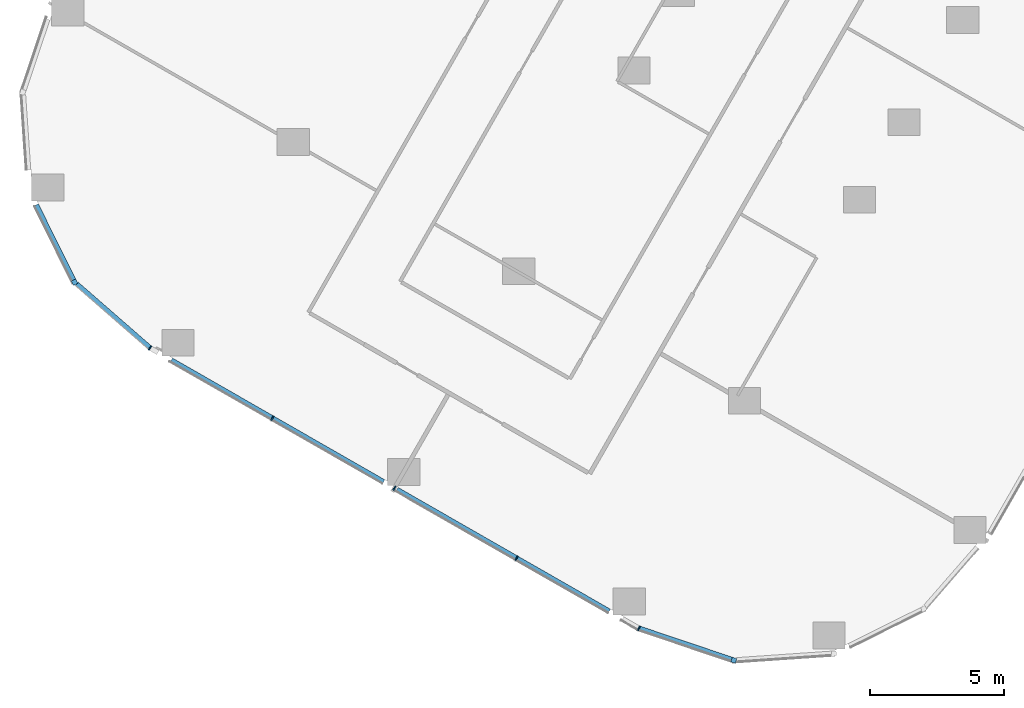
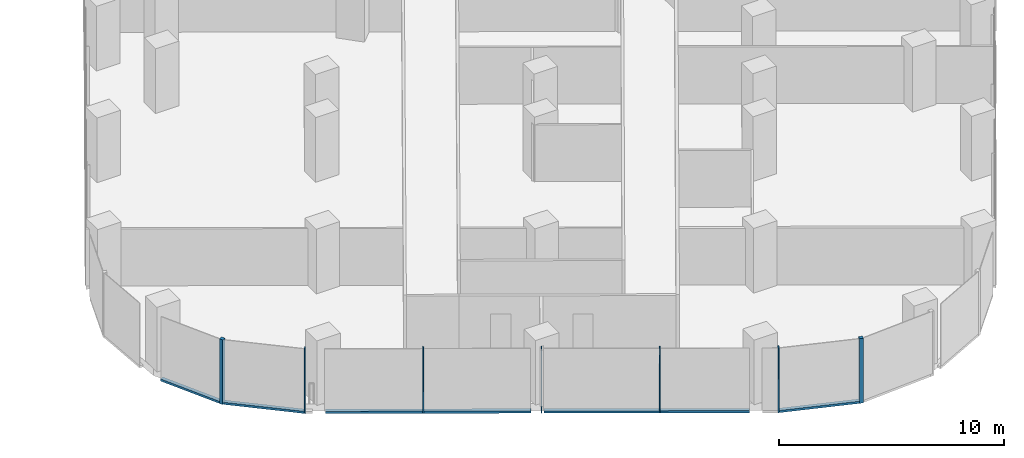
# One storey, part 2 of 34: 12 members, 4 elements without a shape of their own.
"""IFC4 building model written with IfcOpenShell, lengths in metres."""

from ifc_helpers import new_model, si_unit, direction, frame, origin, origin_2d, place, context, subcontext, project, spatial, rectangle, extrude, material, material_profile, profile_set, type_object, element, aggregate, save


model = new_model("IFC4")

# Units and contexts
model_context = context("Model", 3, precision=1e-05, world=origin(), true_north=direction((0.0, 1.0)))
body_context = subcontext(model_context, "Body", "Model", "MODEL_VIEW")
ifc_project = project(units=[si_unit("LENGTHUNIT", "METRE"), si_unit("AREAUNIT", "SQUARE_METRE"), si_unit("VOLUMEUNIT", "CUBIC_METRE"), si_unit("PLANEANGLEUNIT", "RADIAN"), si_unit("MASSUNIT", "GRAM", prefix="KILO")], contexts=[model_context])

# Site, building, storey
site_placement = place(None, origin())
site = spatial("IfcSite", under=ifc_project, at=site_placement, CompositionType="ELEMENT")
building_placement = place(site_placement, origin())
building = spatial("IfcBuilding", under=site, at=building_placement, Name="Orlundy Tower", CompositionType="ELEMENT")
storey_placement = place(building_placement, frame((0.0, 0.0, 105.699951171875)))
storey = spatial("IfcBuildingStorey", under=building, at=storey_placement, Name="L26", CompositionType="ELEMENT", Elevation=105.699951171875)

# Curtain wall, member
ifc_material_1 = material(Name="Aluminium bronze anodised", Category="aluminium")
curtain_wall_type = type_object("IfcCurtainWallType", Name="CW1 wall", PredefinedType="NOTDEFINED", material=ifc_material_1)
curtain_wall_1_placement = place(storey_placement, origin())
curtain_wall_1 = element("IfcCurtainWall", 1, at=curtain_wall_1_placement, inside=storey, type_object=curtain_wall_type, Name="CW1 run 06", PredefinedType="NOTDEFINED")
ifc_material_2 = material(Name="Aluminium bronze anodised", Category="aluminium")
ifc_material_profile_1 = material_profile(ifc_material_2, rectangle(XDim=0.179931640625, YDim=0.179931640625, at=origin_2d()), Name="CW1 corner post 180x180")
ifc_profile_set_1 = profile_set([ifc_material_profile_1], Name="Aluminium bronze anodised")
member_type_1 = type_object("IfcMemberType", Name="CW1 corner post 180x180", PredefinedType="MULLION", material=ifc_profile_set_1)
member_1_placement = place(storey_placement, frame((-16.98974609375, -58.111083984375, -0.39990234375), z_axis=(0.0, 0.0, 1.0), x_axis=(-0.318897481446, -0.947789215135, 0.0)))
member_1 = element("IfcMember", 2, at=member_1_placement, type_object=member_type_1, Name="CW1 mullion 17", PredefinedType="MULLION", context=body_context, shape_type="SweptSolid", body=[
    extrude(rectangle(XDim=0.179931640625, YDim=0.179931640625, at=origin_2d()), origin(), (0.0, 0.0, 1.0), 3.5),
])

curtain_wall_2_placement = place(storey_placement, origin())
curtain_wall_2 = element("IfcCurtainWall", 3, at=curtain_wall_2_placement, inside=storey, type_object=curtain_wall_type, Name="CW1 run 09", PredefinedType="NOTDEFINED")
member_2_placement = place(storey_placement, frame((-41.57470703125, -44.010986328125, -0.39990234375), z_axis=(0.0, 0.0, 1.0), x_axis=(-0.895450062234, -0.445161977313, 0.0)))
member_2 = element("IfcMember", 4, at=member_2_placement, type_object=member_type_1, Name="CW1 mullion 23", PredefinedType="MULLION", context=body_context, shape_type="SweptSolid", body=[
    extrude(rectangle(XDim=0.179931640625, YDim=0.179931640625, at=origin_2d()), origin(), (0.0, 0.0, 1.0), 3.5),
])

# Curtain wall, members
curtain_wall_3_placement = place(storey_placement, origin())
curtain_wall_3 = element("IfcCurtainWall", 5, at=curtain_wall_3_placement, inside=storey, type_object=curtain_wall_type, Name="CW1 run 07", PredefinedType="NOTDEFINED")
ifc_material_3 = material(Name="Aluminium bronze anodised", Category="aluminium")
ifc_material_profile_2 = material_profile(ifc_material_3, rectangle(XDim=0.179931640625, YDim=0.050048828125, at=origin_2d()), Name="CW1 mullion 50x180")
ifc_profile_set_2 = profile_set([ifc_material_profile_2], Name="Aluminium bronze anodised")
member_type_2 = type_object("IfcMemberType", Name="CW1 mullion 50x180", PredefinedType="MULLION", material=ifc_profile_set_2)
member_3_placement = place(storey_placement, frame((-20.528076171875, -56.92041015625, -0.39990234375), z_axis=(0.0, 0.0, 1.0), x_axis=(-0.410157590109, -0.912014666152, 0.0)))
member_3 = element("IfcMember", 6, at=member_3_placement, type_object=member_type_2, Name="CW1 mullion 18", PredefinedType="MULLION", context=body_context, shape_type="SweptSolid", body=[
    extrude(rectangle(XDim=0.179931640625, YDim=0.050048828125, at=origin_2d()), origin(), (0.0, 0.0, 1.0), 3.5),
])
member_4_placement = place(storey_placement, frame((-25.090087890625, -54.304443359375, -0.39990234375), z_axis=(0.0, 0.0, 1.0), x_axis=(-0.497476812036, -0.867477274334, 0.0)))
member_4 = element("IfcMember", 7, at=member_4_placement, type_object=member_type_2, Name="CW1 mullion 19", PredefinedType="MULLION", context=body_context, shape_type="SweptSolid", body=[
    extrude(rectangle(XDim=0.179931640625, YDim=0.050048828125, at=origin_2d()), origin(), (0.0, 0.0, 1.0), 3.5),
])
member_5_placement = place(storey_placement, frame((-29.644287109375, -51.692626953125, -0.39990234375), z_axis=(0.0, 0.0, 1.0), x_axis=(-0.497476812036, -0.867477274334, 0.0)))
member_5 = element("IfcMember", 8, at=member_5_placement, type_object=member_type_2, Name="CW1 mullion 20", PredefinedType="MULLION", context=body_context, shape_type="SweptSolid", body=[
    extrude(rectangle(XDim=0.179931640625, YDim=0.050048828125, at=origin_2d()), origin(), (0.0, 0.0, 1.0), 3.5),
])
member_6_placement = place(storey_placement, frame((-34.198486328125, -49.080810546875, -0.39990234375), z_axis=(0.0, 0.0, 1.0), x_axis=(-0.497476812036, -0.867477274334, 0.0)))
member_6 = element("IfcMember", 9, at=member_6_placement, type_object=member_type_2, Name="CW1 mullion 21", PredefinedType="MULLION", context=body_context, shape_type="SweptSolid", body=[
    extrude(rectangle(XDim=0.179931640625, YDim=0.050048828125, at=origin_2d()), origin(), (0.0, 0.0, 1.0), 3.5),
])

# Curtain wall, member
curtain_wall_4_placement = place(storey_placement, origin())
curtain_wall_4 = element("IfcCurtainWall", 10, at=curtain_wall_4_placement, inside=storey, type_object=curtain_wall_type, Name="CW1 run 08", PredefinedType="NOTDEFINED")
member_7_placement = place(storey_placement, frame((-38.760498046875, -46.464599609375, -0.39990234375), z_axis=(0.0, 0.0, 1.0), x_axis=(-0.580115605379, -0.814534151768, 0.0)))
member_7 = element("IfcMember", 11, at=member_7_placement, type_object=member_type_2, Name="CW1 mullion 22", PredefinedType="MULLION", context=body_context, shape_type="SweptSolid", body=[
    extrude(rectangle(XDim=0.179931640625, YDim=0.050048828125, at=origin_2d()), origin(), (0.0, 0.0, 1.0), 3.5),
])

# Member
ifc_material_4 = material(Name="Aluminium bronze anodised", Category="aluminium")
ifc_material_profile_3 = material_profile(ifc_material_4, rectangle(XDim=0.179931640625, YDim=0.1201171875, at=origin_2d()), Name="CW1 transom 180x120")
ifc_profile_set_3 = profile_set([ifc_material_profile_3], Name="Aluminium bronze anodised")
member_type_3 = type_object("IfcMemberType", Name="CW1 transom 180x120", PredefinedType="USERDEFINED", material=ifc_profile_set_3)
member_8_placement = place(storey_placement, frame((-17.074951171875, -58.082275390625, -0.33984375), z_axis=(-0.947795693526, 0.318878226497, 0.0), x_axis=(-0.318878226497, -0.947795693526, 0.0)))
member_8 = element("IfcMember", 12, at=member_8_placement, type_object=member_type_3, Name="CW1 transom", ObjectType="TRANSOM", PredefinedType="USERDEFINED", context=body_context, shape_type="SweptSolid", body=[
    extrude(rectangle(XDim=0.179931640625, YDim=0.1201171875, at=origin_2d()), origin(), (0.0, 0.0, 1.0), 3.618408203125),
])

aggregate(curtain_wall_1, [member_1, member_8])

member_9_placement = place(storey_placement, frame((-21.636962890625, -56.28466796875, -0.33984375), z_axis=(-0.867470097541, 0.49748932639, 0.0), x_axis=(-0.49748932639, -0.867470097541, 0.0)))
member_9 = element("IfcMember", 13, at=member_9_placement, type_object=member_type_3, Name="CW1 transom", ObjectType="TRANSOM", PredefinedType="USERDEFINED", context=body_context, shape_type="SweptSolid", body=[
    extrude(rectangle(XDim=0.179931640625, YDim=0.1201171875, at=origin_2d()), origin(), (0.0, 0.0, 1.0), 9.12744140625),
])

member_10_placement = place(storey_placement, frame((-30.051025390625, -51.459228515625, -0.33984375), z_axis=(-0.867479944708, 0.497472155532, 0.0), x_axis=(-0.497472155532, -0.867479944708, 0.0)))
member_10 = element("IfcMember", 14, at=member_10_placement, type_object=member_type_3, Name="CW1 transom", ObjectType="TRANSOM", PredefinedType="USERDEFINED", context=body_context, shape_type="SweptSolid", body=[
    extrude(rectangle(XDim=0.179931640625, YDim=0.1201171875, at=origin_2d()), origin(), (0.0, 0.0, 1.0), 9.126708984375),
])

aggregate(curtain_wall_3, [member_3, member_4, member_5, member_6, member_9, member_10])

member_11_placement = place(storey_placement, frame((-38.779296875, -46.4482421875, -0.33984375), z_axis=(-0.753760708351, 0.657148989611, 0.0), x_axis=(-0.657148989611, -0.753760708351, 0.0)))
member_11 = element("IfcMember", 15, at=member_11_placement, type_object=member_type_3, Name="CW1 transom", ObjectType="TRANSOM", PredefinedType="USERDEFINED", context=body_context, shape_type="SweptSolid", body=[
    extrude(rectangle(XDim=0.179931640625, YDim=0.1201171875, at=origin_2d()), origin(), (0.0, 0.0, 1.0), 3.611083984375),
])

aggregate(curtain_wall_4, [member_7, member_11])

member_12_placement = place(storey_placement, frame((-41.61474609375, -43.930419921875, -0.33984375), z_axis=(-0.445120991027, 0.895470436892, 0.0), x_axis=(-0.895470436892, -0.445120991027, 0.0)))
member_12 = element("IfcMember", 16, at=member_12_placement, type_object=member_type_3, Name="CW1 transom", ObjectType="TRANSOM", PredefinedType="USERDEFINED", context=body_context, shape_type="SweptSolid", body=[
    extrude(rectangle(XDim=0.179931640625, YDim=0.1201171875, at=origin_2d()), origin(), (0.0, 0.0, 1.0), 3.12841796875),
])

aggregate(curtain_wall_2, [member_2, member_12])

save(model, "model.ifc")
